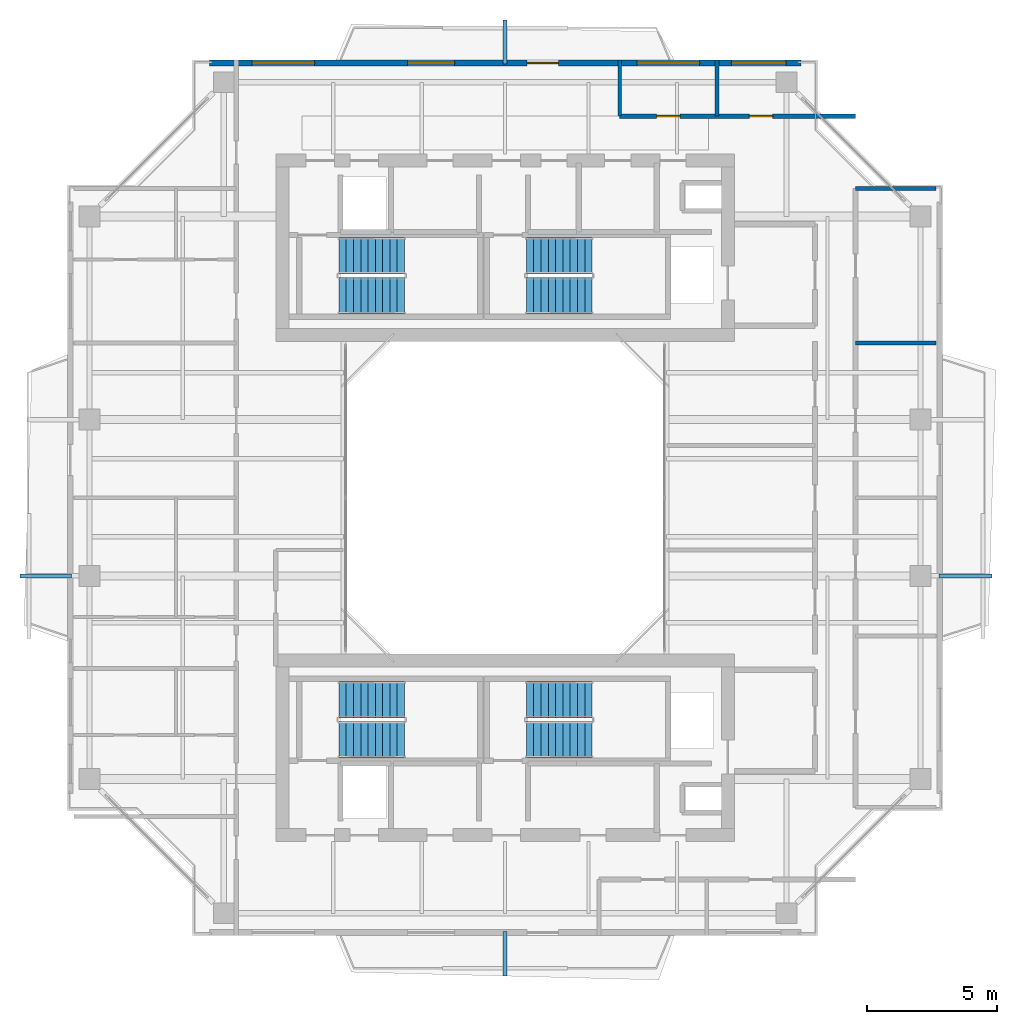
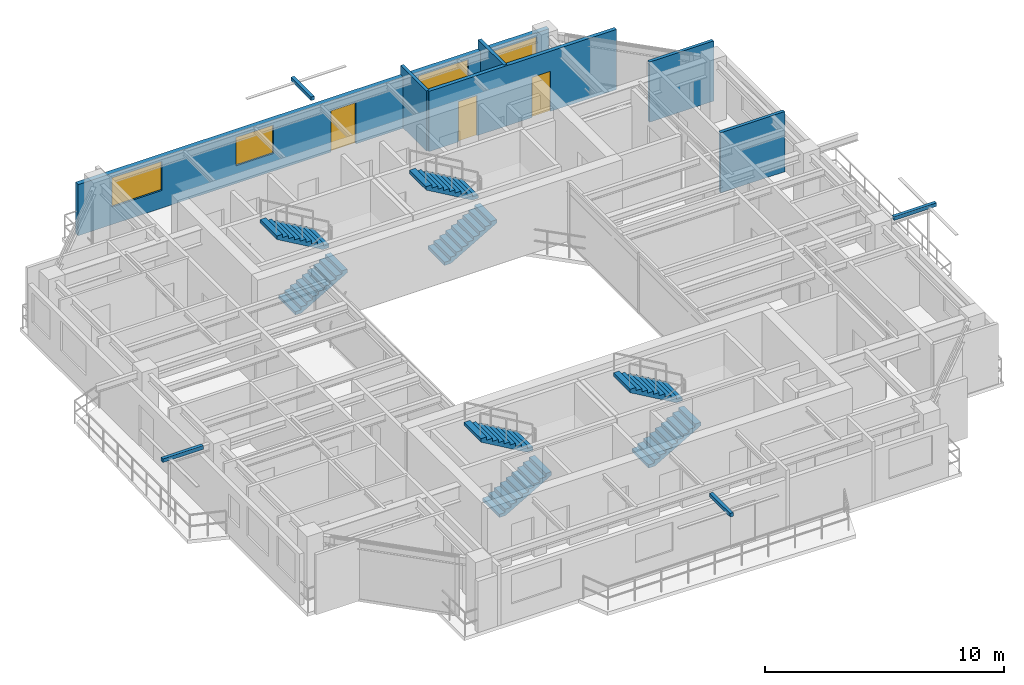
# One storey, part 13 of 16: 8 stair flights, 6 walls, 4 discrete accessories, 4 windows, 3 doors, 7 openings, 4 elements without a shape of their own.
"""IFC4 building model written with IfcOpenShell, lengths in metres."""

import ifcopenshell
import ifcopenshell.guid

model = None  # the IFC model being written
_history = None  # IfcOwnerHistory: only IFC2X3 demands one
_inside = {}  # id of a spatial element -> (the spatial element, [elements in it])
_under = {}  # id of a project, library or spatial element -> (it, [spatial elements below it])
_declared = {}  # id of a project -> (the project, [libraries it declares])
_typed = {}  # id of a type object -> (the type object, [elements of that type])
_made_of = {}  # id of a material, layer set ... -> (it, [elements and type objects made of it])


def new_model(schema):
    """Start an empty IFC model of exactly this schema.

    Asked for "IFC4X3", IfcOpenShell would pick the latest addendum, in which some entities
    have other attributes; the version numbers below select the first issue.
    IFC2X3 requires an IfcOwnerHistory on every rooted entity: one is made here for all.
    """
    global model, _history
    if schema == "IFC4X3":
        model = ifcopenshell.file(schema_version=(4, 3, 0, 0))
    else:
        model = ifcopenshell.file(schema=schema)
    _inside.clear()
    _under.clear()
    _declared.clear()
    _typed.clear()
    _made_of.clear()
    _history = None
    if model.schema == "IFC2X3":
        org = make("IfcOrganization", Name="unknown")
        user = make(
            "IfcPersonAndOrganization",
            ThePerson=make("IfcPerson", FamilyName="unknown"),
            TheOrganization=org,
        )
        app = make(
            "IfcApplication",
            ApplicationDeveloper=org,
            Version="unknown",
            ApplicationFullName="unknown",
            ApplicationIdentifier="unknown",
        )
        _history = make(
            "IfcOwnerHistory",
            OwningUser=user,
            OwningApplication=app,
            ChangeAction="ADDED",
            CreationDate=0,
        )
    return model


def make(cls, **values):
    """One entity of the class cls with the attributes given. An attribute that is None is left unset."""
    return model.create_entity(
        cls, **{name: value for name, value in values.items() if value is not None}
    )


def rooted(cls, **values):
    """An entity with a GlobalId (a new one), such as an element, a storey or a relation."""
    return make(cls, GlobalId=ifcopenshell.guid.new(), OwnerHistory=_history, **values)


def si_unit(unit_type, name, prefix=None):
    """IfcSIUnit, for example si_unit("LENGTHUNIT", "METRE", prefix="MILLI")."""
    return make("IfcSIUnit", UnitType=unit_type, Prefix=prefix, Name=name)


def assignment(units):
    """IfcUnitAssignment: the units of a project."""
    return None if units is None else make("IfcUnitAssignment", Units=units)


def point(xyz):
    """IfcCartesianPoint."""
    return None if xyz is None else make("IfcCartesianPoint", Coordinates=xyz)


def direction(xyz):
    """IfcDirection."""
    return None if xyz is None else make("IfcDirection", DirectionRatios=xyz)


def frame(location, z_axis=None, x_axis=None):
    """IfcAxis2Placement3D, a coordinate frame: its origin and axes. An axis left out is left unset."""
    return make(
        "IfcAxis2Placement3D",
        Location=point(location),
        Axis=direction(z_axis),
        RefDirection=direction(x_axis),
    )


def frame_2d(location, x_axis=None):
    """IfcAxis2Placement2D, a coordinate frame in the plane: its origin and x axis."""
    return make(
        "IfcAxis2Placement2D", Location=point(location), RefDirection=direction(x_axis)
    )


def origin():
    """The frame at (0, 0, 0) with its axes left unset."""
    return frame((0.0, 0.0, 0.0))


def origin_2d():
    """The frame at (0, 0) in the plane with its x axis left unset."""
    return frame_2d((0.0, 0.0))


def place(relative_to, where):
    """IfcLocalPlacement: puts the frame where relative to a parent placement (None: the world)."""
    return make(
        "IfcLocalPlacement", PlacementRelTo=relative_to, RelativePlacement=where
    )


def context(
    kind, dimensions, precision=None, world=None, true_north=None, identifier=None
):
    """IfcGeometricRepresentationContext, for example the 3D "Model" context."""
    return make(
        "IfcGeometricRepresentationContext",
        ContextIdentifier=identifier,
        ContextType=kind,
        CoordinateSpaceDimension=dimensions,
        Precision=precision,
        WorldCoordinateSystem=world,
        TrueNorth=true_north,
    )


def subcontext(parent, identifier, kind, view, scale=None):
    """IfcGeometricRepresentationSubContext, for example "Body" below "Model"."""
    return make(
        "IfcGeometricRepresentationSubContext",
        ContextIdentifier=identifier,
        ContextType=kind,
        ParentContext=parent,
        TargetScale=scale,
        TargetView=view,
    )


def project(units=None, contexts=None):
    """IfcProject with its units and contexts."""
    return rooted(
        "IfcProject",
        Name="project",
        RepresentationContexts=contexts,
        UnitsInContext=assignment(units),
    )


def spatial(cls, under=None, at=None, **own):
    """A site, building, storey or space (cls), placed at a placement, below another one or the project."""
    s = rooted(cls, ObjectPlacement=at, **own)
    if under is not None:
        _under.setdefault(under.id(), (under, []))[1].append(s)
    return s


def polyline(points):
    """IfcPolyline through the points."""
    return make("IfcPolyline", Points=[point(p) for p in points])


def profile(cls, at=None, kind="AREA", **sizes):
    """A parametric profile (cls). Its sizes go by their IFC names, for example OverallWidth=200.0."""
    return make(cls, ProfileType=kind, Position=at, **sizes)


def rectangle(**sizes):
    """IfcRectangleProfileDef."""
    return profile("IfcRectangleProfileDef", **sizes)


def outline(outer, holes=None, kind="AREA"):
    """IfcArbitraryClosedProfileDef: a profile drawn as a closed curve; with holes, ...WithVoids."""
    if holes is None:
        return make("IfcArbitraryClosedProfileDef", ProfileType=kind, OuterCurve=outer)
    return make(
        "IfcArbitraryProfileDefWithVoids",
        ProfileType=kind,
        OuterCurve=outer,
        InnerCurves=holes,
    )


def extrude(swept, where, along, depth):
    """IfcExtrudedAreaSolid: the profile swept, set in the frame where, extruded along a direction by depth."""
    return make(
        "IfcExtrudedAreaSolid",
        SweptArea=swept,
        Position=where,
        ExtrudedDirection=direction(along),
        Depth=depth,
    )


def shape(context_of_items, identifier, shape_type, items):
    """IfcShapeRepresentation: the items that make up one representation, for example the "Body"."""
    return make(
        "IfcShapeRepresentation",
        ContextOfItems=context_of_items,
        RepresentationIdentifier=identifier,
        RepresentationType=shape_type,
        Items=items,
    )


def source(mapping_origin, context_of_items, identifier, shape_type, items):
    """IfcRepresentationMap: a shape defined once, which mapped items show again and again."""
    return make(
        "IfcRepresentationMap",
        MappingOrigin=mapping_origin,
        MappedRepresentation=shape(context_of_items, identifier, shape_type, items),
    )


def transform(
    local_origin,
    x_axis=None,
    y_axis=None,
    z_axis=None,
    scale=None,
    scale2=None,
    scale3=None,
    uniform=True,
):
    """IfcCartesianTransformationOperator3D, or its non-uniform kind. x_axis, y_axis, z_axis: its Axis1, 2, 3."""
    if uniform:
        return make(
            "IfcCartesianTransformationOperator3D",
            Axis1=direction(x_axis),
            Axis2=direction(y_axis),
            LocalOrigin=point(local_origin),
            Scale=scale,
            Axis3=direction(z_axis),
        )
    return make(
        "IfcCartesianTransformationOperator3DnonUniform",
        Axis1=direction(x_axis),
        Axis2=direction(y_axis),
        LocalOrigin=point(local_origin),
        Scale=scale,
        Axis3=direction(z_axis),
        Scale2=scale2,
        Scale3=scale3,
    )


def mapped(mapping_source, mapping_target):
    """IfcMappedItem: shows the shape of a source again, moved by a transform."""
    return make(
        "IfcMappedItem", MappingSource=mapping_source, MappingTarget=mapping_target
    )


def material(Name=None, Category=None):
    """IfcMaterial."""
    return make("IfcMaterial", Name=Name, Category=Category)


def layer(
    of_material, thickness, ventilated=None, Name=None, Category=None, Priority=None
):
    """IfcMaterialLayer: one layer of a wall or slab, of a material (None: an air gap)."""
    return make(
        "IfcMaterialLayer",
        Material=of_material,
        LayerThickness=thickness,
        IsVentilated=ventilated,
        Name=Name,
        Category=Category,
        Priority=Priority,
    )


def layer_set(layers, Name=None):
    """IfcMaterialLayerSet."""
    return make("IfcMaterialLayerSet", MaterialLayers=layers, LayerSetName=Name)


def made_of(thing, what):
    """Note that an element or type object is made of a material, layer set ...; save() writes the relation."""
    if what is not None:
        _made_of.setdefault(what.id(), (what, []))[1].append(thing)
    return thing


def type_object(cls, material=None, **own):
    """A type object (cls), such as IfcWallType, which elements share."""
    return made_of(rooted(cls, **own), material)


def element(
    cls,
    number,
    at=None,
    inside=None,
    cuts=None,
    type_object=None,
    material=None,
    context=None,
    identifier="Body",
    shape_type=None,
    held_by="IfcProductDefinitionShape",
    body=None,
    shapes=None,
    **own,
):
    """One element of the class cls, such as IfcWall. Its Tag is "e" and its number.

    at: its placement. inside: the storey or other place that contains it. cuts: it is an
    opening in that element (IfcRelVoidsElement). A single representation is given by context,
    identifier, shape_type and body (its items); several are given by shapes. held_by: the class
    of the entity that holds the representations. save() writes the other relations.
    """
    e = rooted(cls, Tag="e%d" % number, ObjectPlacement=at, **own)
    if body is not None:
        shapes = [shape(context, identifier, shape_type, body)]
    if shapes is not None:
        e.Representation = make(held_by, Representations=shapes)
    if inside is not None:
        _inside.setdefault(inside.id(), (inside, []))[1].append(e)
    if cuts is not None:
        rooted(
            "IfcRelVoidsElement", RelatingBuildingElement=cuts, RelatedOpeningElement=e
        )
    if type_object is not None:
        _typed.setdefault(type_object.id(), (type_object, []))[1].append(e)
    return made_of(e, material)


def fill(opening, filler):
    """IfcRelFillsElement: the door or window that sits in an opening."""
    return rooted(
        "IfcRelFillsElement",
        RelatingOpeningElement=opening,
        RelatedBuildingElement=filler,
    )


def aggregate(whole, parts):
    """IfcRelAggregates: a whole, such as a stair, and the parts it consists of."""
    return rooted("IfcRelAggregates", RelatingObject=whole, RelatedObjects=parts)


def save(model, path):
    """Write the relations noted so far, then the file.

    IfcRelAggregates (storeys below a building ...), IfcRelContainedInSpatialStructure (elements
    in a storey), IfcRelDefinesByType, IfcRelAssociatesMaterial and IfcRelDeclares: one each for
    every whole, place, type object, material and project.
    """
    for whole, parts in _under.values():
        aggregate(whole, parts)
    for where, things in _inside.values():
        rooted(
            "IfcRelContainedInSpatialStructure",
            RelatedElements=things,
            RelatingStructure=where,
        )
    for kind, things in _typed.values():
        rooted("IfcRelDefinesByType", RelatedObjects=things, RelatingType=kind)
    for what, things in _made_of.values():
        rooted("IfcRelAssociatesMaterial", RelatedObjects=things, RelatingMaterial=what)
    for by, libraries in _declared.values():
        rooted("IfcRelDeclares", RelatingContext=by, RelatedDefinitions=libraries)
    model.write(path)


model = new_model("IFC4")

# Units and contexts
model_context = context("Model", 3, precision=1e-05, world=origin(), true_north=direction((0.0, 1.0)))
body_context = subcontext(model_context, "Body", "Model", "MODEL_VIEW")
ifc_project = project(units=[si_unit("LENGTHUNIT", "METRE"), si_unit("AREAUNIT", "SQUARE_METRE"), si_unit("VOLUMEUNIT", "CUBIC_METRE"), si_unit("PLANEANGLEUNIT", "RADIAN"), si_unit("MASSUNIT", "GRAM", prefix="KILO"), si_unit("THERMODYNAMICTEMPERATUREUNIT", "KELVIN"), si_unit("POWERUNIT", "WATT")], contexts=[model_context])

# Site, building, storey
site_placement = place(None, origin())
site = spatial("IfcSite", under=ifc_project, at=site_placement, CompositionType="ELEMENT")
building_placement = place(site_placement, origin())
building = spatial("IfcBuilding", under=site, at=building_placement, Name="Qiaomeng Ring Towers", CompositionType="ELEMENT")
storey_placement = place(building_placement, frame((0.0, 0.0, 216.5)))
storey = spatial("IfcBuildingStorey", under=building, at=storey_placement, Name="L63", CompositionType="ELEMENT", Elevation=216.5)

# Wall, openings, windows, door
ifc_material_1 = material(Name="Precast concrete C40", Category="concrete")
ifc_layer_1 = layer(ifc_material_1, 0.219970703125, Name="Precast concrete C40")
ifc_layer_set_1 = layer_set([ifc_layer_1], Name="Precast concrete C40")
wall_type_1 = type_object("IfcWallType", Name="ARC-WL-EW2", PredefinedType="STANDARD", material=ifc_layer_set_1)
wall_1_placement = place(storey_placement, frame((7.64990234375, 39.68994140625, 0.0), z_axis=(0.0, 0.0, 1.0), x_axis=(1.0, 0.0, 0.0)))
wall_1 = element("IfcWall", 1, at=wall_1_placement, inside=storey, type_object=wall_type_1, Name="L63 Tower 1 N Exterior Wall", PredefinedType="STANDARD", context=body_context, shape_type="SweptSolid", body=[
    extrude(rectangle(XDim=22.7001953125, YDim=0.219970703125, at=frame_2d((11.35009765625, 0.0))), origin(), (0.0, 0.0, 1.0), 2.610107421875),
])
opening_1_placement = place(wall_1_placement, frame((12.199951171875, 0.0, 0.0)))
opening_1 = element("IfcOpeningElement", 2, at=opening_1_placement, cuts=wall_1, Name="Opening BD1", PredefinedType="OPENING", context=body_context, shape_type="SweptSolid", body=[
    extrude(rectangle(XDim=1.199951171875, YDim=2.10009765625, at=frame_2d((0.60009765625, 1.050048828125))), frame((0.0, 0.119873046875, 0.0), z_axis=(0.0, -1.0, 0.0), x_axis=(1.0, 0.0, 0.0)), (0.0, 0.0, 1.0), 0.239990234375),
])
opening_2_placement = place(wall_1_placement, frame((1.636962890625, 0.0, 0.89990234375)))
opening_2 = element("IfcOpeningElement", 3, at=opening_2_placement, cuts=wall_1, Name="Opening WN6", PredefinedType="OPENING", context=body_context, shape_type="SweptSolid", body=[
    extrude(rectangle(XDim=2.39990234375, YDim=1.47998046875, at=frame_2d((1.199951171875, 0.739990234375))), frame((0.0, 0.119873046875, 0.0), z_axis=(0.0, -1.0, 0.0), x_axis=(1.0, 0.0, 0.0)), (0.0, 0.0, 1.0), 0.239990234375),
])
opening_3_placement = place(wall_1_placement, frame((7.612060546875, 0.0, 0.89990234375)))
opening_3 = element("IfcOpeningElement", 4, at=opening_3_placement, cuts=wall_1, Name="Opening WN1", PredefinedType="OPENING", context=body_context, shape_type="SweptSolid", body=[
    extrude(rectangle(XDim=1.800048828125, YDim=1.449951171875, at=frame_2d((0.89990234375, 0.72509765625))), frame((0.0, 0.119873046875, 0.0), z_axis=(0.0, -1.0, 0.0), x_axis=(1.0, 0.0, 0.0)), (0.0, 0.0, 1.0), 0.239990234375),
])
opening_4_placement = place(wall_1_placement, frame((20.03759765625, 0.0, 0.89990234375)))
opening_4 = element("IfcOpeningElement", 5, at=opening_4_placement, cuts=wall_1, Name="Opening WN4", PredefinedType="OPENING", context=body_context, shape_type="SweptSolid", body=[
    extrude(rectangle(XDim=2.10009765625, YDim=1.5, at=frame_2d((1.050048828125, 0.75))), frame((0.0, 0.119873046875, 0.0), z_axis=(0.0, -1.0, 0.0), x_axis=(1.0, 0.0, 0.0)), (0.0, 0.0, 1.0), 0.239990234375),
])
opening_5_placement = place(wall_1_placement, frame((16.419921875, 0.0, 0.89990234375)))
opening_5 = element("IfcOpeningElement", 6, at=opening_5_placement, cuts=wall_1, Name="Opening WN6", PredefinedType="OPENING", context=body_context, shape_type="SweptSolid", body=[
    extrude(rectangle(XDim=2.39990234375, YDim=1.5, at=frame_2d((1.199951171875, 0.75))), frame((0.0, 0.119873046875, 0.0), z_axis=(0.0, -1.0, 0.0), x_axis=(1.0, 0.0, 0.0)), (0.0, 0.0, 1.0), 0.239990234375),
])
ifc_material_2 = material(Name="Low-E dark-grey laminated double glazing", Category="glass")
window_type_1 = type_object("IfcWindowType", Name="ARC-WN-4", PartitioningType="TRIPLE_PANEL_VERTICAL", PredefinedType="WINDOW", material=ifc_material_2)
shared_shape_1 = source(origin(), body_context, "Body", "SweptSolid", [
    extrude(rectangle(XDim=2.10009765625, YDim=1.5, at=frame_2d((1.050048828125, 0.75))), frame((0.0, 0.030029296875, 0.0), z_axis=(0.0, -1.0, 0.0), x_axis=(1.0, 0.0, 0.0)), (0.0, 0.0, 1.0), 0.06005859375),
])
window_1_placement = place(opening_4_placement, origin())
window_1 = element("IfcWindow", 7, at=window_1_placement, inside=storey, type_object=window_type_1, Name="L63 Exterior Window WN4", OverallHeight=1.5, OverallWidth=2.10009765625, PartitioningType="TRIPLE_PANEL_VERTICAL", PredefinedType="WINDOW", context=body_context, shape_type="MappedRepresentation", body=[
    mapped(shared_shape_1, transform((0.0, 0.0, 0.0), x_axis=(1.0, 0.0, 0.0), y_axis=(0.0, 1.0, 0.0), z_axis=(0.0, 0.0, 1.0), scale=1.0)),
])
fill(opening_4, window_1)
window_type_2 = type_object("IfcWindowType", Name="ARC-WN-1", PartitioningType="DOUBLE_PANEL_VERTICAL", PredefinedType="WINDOW", material=ifc_material_2)
shared_shape_2 = source(origin(), body_context, "Body", "SweptSolid", [
    extrude(rectangle(XDim=1.800048828125, YDim=1.449951171875, at=frame_2d((0.89990234375, 0.72509765625))), frame((0.0, 0.030029296875, 0.0), z_axis=(0.0, -1.0, 0.0), x_axis=(1.0, 0.0, 0.0)), (0.0, 0.0, 1.0), 0.06005859375),
])
window_2_placement = place(opening_3_placement, origin())
window_2 = element("IfcWindow", 8, at=window_2_placement, inside=storey, type_object=window_type_2, Name="L63 Exterior Window WN1", OverallHeight=1.449951171875, OverallWidth=1.800048828125, PartitioningType="DOUBLE_PANEL_VERTICAL", PredefinedType="WINDOW", context=body_context, shape_type="MappedRepresentation", body=[
    mapped(shared_shape_2, transform((0.0, 0.0, 0.0), x_axis=(1.0, 0.0, 0.0), y_axis=(0.0, 1.0, 0.0), z_axis=(0.0, 0.0, 1.0), scale=1.0)),
])
fill(opening_3, window_2)
window_type_3 = type_object("IfcWindowType", Name="ARC-WN-6", PartitioningType="TRIPLE_PANEL_VERTICAL", PredefinedType="WINDOW", material=ifc_material_2)
shared_shape_3 = source(origin(), body_context, "Body", "SweptSolid", [
    extrude(rectangle(XDim=2.39990234375, YDim=1.47998046875, at=frame_2d((1.199951171875, 0.739990234375))), frame((0.0, 0.030029296875, 0.0), z_axis=(0.0, -1.0, 0.0), x_axis=(1.0, 0.0, 0.0)), (0.0, 0.0, 1.0), 0.06005859375),
])
window_3_placement = place(opening_2_placement, origin())
window_3 = element("IfcWindow", 9, at=window_3_placement, inside=storey, type_object=window_type_3, Name="L63 Exterior Window WN6", OverallHeight=1.47998046875, OverallWidth=2.39990234375, PartitioningType="TRIPLE_PANEL_VERTICAL", PredefinedType="WINDOW", context=body_context, shape_type="MappedRepresentation", body=[
    mapped(shared_shape_3, transform((0.0, 0.0, 0.0), x_axis=(1.0, 0.0, 0.0), y_axis=(0.0, 1.0, 0.0), z_axis=(0.0, 0.0, 1.0), scale=1.0)),
])
fill(opening_2, window_3)
door_type_1 = type_object("IfcDoorType", Name="ARC-DR-BD1", OperationType="NOTDEFINED", PredefinedType="DOOR", material=ifc_material_2)
shared_shape_4 = source(origin(), body_context, "Body", "SweptSolid", [
    extrude(rectangle(XDim=1.199951171875, YDim=2.10009765625, at=frame_2d((0.60009765625, 1.050048828125))), frame((0.0, 0.02490234375, 0.0), z_axis=(0.0, -1.0, 0.0), x_axis=(1.0, 0.0, 0.0)), (0.0, 0.0, 1.0), 0.050048828125),
])
door_1_placement = place(opening_1_placement, origin())
door_1 = element("IfcDoor", 10, at=door_1_placement, inside=storey, type_object=door_type_1, Name="L63 N Balcony Glazed Door", OperationType="SINGLE_SWING_LEFT", OverallHeight=2.10009765625, OverallWidth=1.199951171875, PredefinedType="DOOR", context=body_context, shape_type="MappedRepresentation", body=[
    mapped(shared_shape_4, transform((0.0, 0.0, 0.0), x_axis=(1.0, 0.0, 0.0), y_axis=(0.0, 1.0, 0.0), z_axis=(0.0, 0.0, 1.0), scale=1.0)),
])
fill(opening_1, door_1)
shared_shape_5 = source(origin(), body_context, "Body", "SweptSolid", [
    extrude(rectangle(XDim=2.39990234375, YDim=1.5, at=frame_2d((1.199951171875, 0.75))), frame((0.0, 0.030029296875, 0.0), z_axis=(0.0, -1.0, 0.0), x_axis=(1.0, 0.0, 0.0)), (0.0, 0.0, 1.0), 0.06005859375),
])
window_4_placement = place(opening_5_placement, origin())
window_4 = element("IfcWindow", 11, at=window_4_placement, inside=storey, type_object=window_type_3, Name="L63 Exterior Window WN6", OverallHeight=1.5, OverallWidth=2.39990234375, PartitioningType="TRIPLE_PANEL_VERTICAL", PredefinedType="WINDOW", context=body_context, shape_type="MappedRepresentation", body=[
    mapped(shared_shape_5, transform((0.0, 0.0, 0.0), x_axis=(1.0, 0.0, 0.0), y_axis=(0.0, 1.0, 0.0), z_axis=(0.0, 0.0, 1.0), scale=1.0)),
])
fill(opening_5, window_4)

# Wall, openings, doors
ifc_material_3 = material(Name="Autoclaved aerated concrete block", Category="concrete")
ifc_layer_2 = layer(ifc_material_3, 0.179931640625, Name="Autoclaved aerated concrete block")
ifc_layer_set_2 = layer_set([ifc_layer_2], Name="Autoclaved aerated concrete block")
wall_type_2 = type_object("IfcWallType", Name="ARC-WL-PW2", PredefinedType="PARTITIONING", material=ifc_layer_set_2)
wall_2_placement = place(storey_placement, frame((23.39990234375, 37.64990234375, 0.0), z_axis=(0.0, 0.0, 1.0), x_axis=(1.0, 0.0, 0.0)))
wall_2 = element("IfcWall", 12, at=wall_2_placement, inside=storey, type_object=wall_type_2, Name="L63 Interior Wall PW2", PredefinedType="PARTITIONING", context=body_context, shape_type="SweptSolid", body=[
    extrude(rectangle(XDim=9.050048828125, YDim=0.179931640625, at=frame_2d((4.52490234375, 0.0))), origin(), (0.0, 0.0, 1.0), 3.070068359375),
])
opening_6_placement = place(wall_2_placement, frame((1.419921875, 0.0, 0.0)))
opening_6 = element("IfcOpeningElement", 13, at=opening_6_placement, cuts=wall_2, Name="Opening ID1", PredefinedType="OPENING", context=body_context, shape_type="SweptSolid", body=[
    extrude(rectangle(XDim=0.89990234375, YDim=2.050048828125, at=frame_2d((0.449951171875, 1.02490234375))), frame((0.0, 0.099853515625, 0.0), z_axis=(0.0, -1.0, 0.0), x_axis=(1.0, 0.0, 0.0)), (0.0, 0.0, 1.0), 0.199951171875),
])
opening_7_placement = place(wall_2_placement, frame((4.972900390625, 0.0, 0.0)))
opening_7 = element("IfcOpeningElement", 14, at=opening_7_placement, cuts=wall_2, Name="Opening ID1", PredefinedType="OPENING", context=body_context, shape_type="SweptSolid", body=[
    extrude(rectangle(XDim=0.89990234375, YDim=2.050048828125, at=frame_2d((0.449951171875, 1.02490234375))), frame((0.0, 0.099853515625, 0.0), z_axis=(0.0, -1.0, 0.0), x_axis=(1.0, 0.0, 0.0)), (0.0, 0.0, 1.0), 0.199951171875),
])
ifc_material_4 = material(Name="Engineered oak timber", Category="wood")
door_type_2 = type_object("IfcDoorType", Name="ARC-DR-ID1", OperationType="NOTDEFINED", PredefinedType="DOOR", material=ifc_material_4)
shared_shape_6 = source(origin(), body_context, "Body", "SweptSolid", [
    extrude(rectangle(XDim=0.89990234375, YDim=2.050048828125, at=frame_2d((0.449951171875, 1.02490234375))), frame((0.0, 0.02490234375, 0.0), z_axis=(0.0, -1.0, 0.0), x_axis=(1.0, 0.0, 0.0)), (0.0, 0.0, 1.0), 0.050048828125),
])
door_2_placement = place(opening_6_placement, origin())
door_2 = element("IfcDoor", 15, at=door_2_placement, inside=storey, type_object=door_type_2, Name="L63 Door ID1", OperationType="SINGLE_SWING_RIGHT", OverallHeight=2.050048828125, OverallWidth=0.89990234375, PredefinedType="DOOR", context=body_context, shape_type="MappedRepresentation", body=[
    mapped(shared_shape_6, transform((0.0, 0.0, 0.0), x_axis=(1.0, 0.0, 0.0), y_axis=(0.0, 1.0, 0.0), z_axis=(0.0, 0.0, 1.0), scale=1.0)),
])
fill(opening_6, door_2)
door_3_placement = place(opening_7_placement, origin())
door_3 = element("IfcDoor", 16, at=door_3_placement, inside=storey, type_object=door_type_2, Name="L63 Door ID1", OperationType="SINGLE_SWING_LEFT", OverallHeight=2.050048828125, OverallWidth=0.89990234375, PredefinedType="DOOR", context=body_context, shape_type="MappedRepresentation", body=[
    mapped(shared_shape_6, transform((0.0, 0.0, 0.0), x_axis=(1.0, 0.0, 0.0), y_axis=(0.0, 1.0, 0.0), z_axis=(0.0, 0.0, 1.0), scale=1.0)),
])
fill(opening_7, door_3)

# Walls
ifc_material_5 = material(Name="Gypsum fireboard steel-stud partition", Category="steel")
ifc_layer_3 = layer(ifc_material_5, 0.14990234375, Name="Gypsum fireboard steel-stud partition")
ifc_layer_set_3 = layer_set([ifc_layer_3], Name="Gypsum fireboard steel-stud partition")
wall_type_3 = type_object("IfcWallType", Name="ARC-WL-PW3", PredefinedType="PARTITIONING", material=ifc_layer_set_3)
for number, where, z_axis, x_axis, name in (
    (17, (23.39990234375, 37.64990234375, 0.0), (0.0, 0.0, 1.0), (0.0, 1.0, 0.0), "L63 Interior Wall PW3"),
    (18, (27.139892578125, 37.64990234375, 0.0), (0.0, 0.0, 1.0), (0.0, 1.0, 0.0), "L63 Interior Wall PW3"),
):
    element("IfcWall", number, at=place(storey_placement, frame(where, z_axis=z_axis, x_axis=x_axis)), inside=storey, type_object=wall_type_3, Name=name, PredefinedType="PARTITIONING", context=body_context, shape_type="SweptSolid", body=[
        extrude(rectangle(XDim=2.150146484375, YDim=0.14990234375, at=frame_2d((1.0751953125, 0.0))), origin(), (0.0, 0.0, 1.0), 3.070068359375),
    ])
for number, where, z_axis, x_axis, name in (
    (19, (32.449951171875, 34.8798828125, 0.0), (0.0, 0.0, 1.0), (1.0, 0.0, 0.0), "L63 Interior Wall PW3"),
    (20, (32.449951171875, 28.93994140625, 0.0), (0.0, 0.0, 1.0), (1.0, 0.0, 0.0), "L63 Interior Wall PW3"),
):
    element("IfcWall", number, at=place(storey_placement, frame(where, z_axis=z_axis, x_axis=x_axis)), inside=storey, type_object=wall_type_3, Name=name, PredefinedType="PARTITIONING", context=body_context, shape_type="SweptSolid", body=[
        extrude(rectangle(XDim=3.10009765625, YDim=0.14990234375, at=frame_2d((1.550048828125, 0.0))), origin(), (0.0, 0.0, 1.0), 3.070068359375),
    ])

# Stair, stair flights
stair_type = type_object("IfcStairType", Name="ARC-ST-325", PredefinedType="HALF_TURN_STAIR", material=ifc_material_1)
stair_1_placement = place(storey_placement, origin())
stair_1 = element("IfcStair", 21, at=stair_1_placement, inside=storey, type_object=stair_type, Name="L63 Tower 1 North Stair 1", PredefinedType="HALF_TURN_STAIR")
stair_flight_type = type_object("IfcStairFlightType", Name="ARC-ST-325-FL", PredefinedType="STRAIGHT", material=ifc_material_1)
shared_shape_7 = source(origin(), body_context, "Body", "SweptSolid", [
    extrude(outline(polyline([(0.0, 0.0), (0.0, 0.16259765625), (0.280029296875, 0.16259765625), (0.280029296875, 0.324951171875), (0.56005859375, 0.324951171875), (0.56005859375, 0.487548828125), (0.840087890625, 0.487548828125), (0.840087890625, 0.64990234375), (1.1201171875, 0.64990234375), (1.1201171875, 0.8125), (1.39990234375, 0.8125), (1.39990234375, 0.97509765625), (1.679931640625, 0.97509765625), (1.679931640625, 1.137451171875), (1.9599609375, 1.137451171875), (1.9599609375, 1.300048828125), (2.239990234375, 1.300048828125), (2.239990234375, 1.46240234375), (2.52001953125, 1.46240234375), (2.52001953125, 1.625), (2.52001953125, 1.2890625), (0.298583984375, 0.0), (0.0, 0.0)])), frame((0.0, 0.699951171875, 0.0), z_axis=(0.0, -1.0, 0.0), x_axis=(1.0, 0.0, 0.0)), (0.0, 0.0, 1.0), 1.39990234375),
])
stair_flight_1_placement = place(storey_placement, frame((12.6201171875, 30.75, 0.0), z_axis=(0.0, 0.0, 1.0), x_axis=(1.0, 0.0, 0.0)))
stair_flight_1 = element("IfcStairFlight", 22, at=stair_flight_1_placement, type_object=stair_flight_type, Name="ST1 flight 1", NumberOfRisers=10, NumberOfTreads=9, PredefinedType="STRAIGHT", RiserHeight=0.1625, TreadLength=0.28, context=body_context, shape_type="MappedRepresentation", body=[
    mapped(shared_shape_7, transform((0.0, 0.0, 0.0), x_axis=(1.0, 0.0, 0.0), y_axis=(0.0, 1.0, 0.0), z_axis=(0.0, 0.0, 1.0), scale=1.0)),
])
stair_flight_2_placement = place(storey_placement, frame((15.139892578125, 32.2900390625, 1.625), z_axis=(0.0, 0.0, 1.0), x_axis=(-1.0, 0.0, 0.0)))
stair_flight_2 = element("IfcStairFlight", 23, at=stair_flight_2_placement, type_object=stair_flight_type, Name="ST1 flight 2", NumberOfRisers=10, NumberOfTreads=9, PredefinedType="STRAIGHT", RiserHeight=0.1625, TreadLength=0.28, context=body_context, shape_type="MappedRepresentation", body=[
    mapped(shared_shape_7, transform((0.0, 0.0, 0.0), x_axis=(1.0, 0.0, 0.0), y_axis=(0.0, 1.0, 0.0), z_axis=(0.0, 0.0, 1.0), scale=1.0)),
])
aggregate(stair_1, [stair_flight_1, stair_flight_2])

stair_2_placement = place(storey_placement, origin())
stair_2 = element("IfcStair", 24, at=stair_2_placement, inside=storey, type_object=stair_type, Name="L63 Tower 1 North Stair 2", PredefinedType="HALF_TURN_STAIR")
stair_flight_3_placement = place(storey_placement, frame((19.820068359375, 30.75, 0.0), z_axis=(0.0, 0.0, 1.0), x_axis=(1.0, 0.0, 0.0)))
stair_flight_3 = element("IfcStairFlight", 25, at=stair_flight_3_placement, type_object=stair_flight_type, Name="ST2 flight 1", NumberOfRisers=10, NumberOfTreads=9, PredefinedType="STRAIGHT", RiserHeight=0.1625, TreadLength=0.28, context=body_context, shape_type="MappedRepresentation", body=[
    mapped(shared_shape_7, transform((0.0, 0.0, 0.0), x_axis=(1.0, 0.0, 0.0), y_axis=(0.0, 1.0, 0.0), z_axis=(0.0, 0.0, 1.0), scale=1.0)),
])
stair_flight_4_placement = place(storey_placement, frame((22.340087890625, 32.2900390625, 1.625), z_axis=(0.0, 0.0, 1.0), x_axis=(-1.0, 0.0, 0.0)))
stair_flight_4 = element("IfcStairFlight", 26, at=stair_flight_4_placement, type_object=stair_flight_type, Name="ST2 flight 2", NumberOfRisers=10, NumberOfTreads=9, PredefinedType="STRAIGHT", RiserHeight=0.1625, TreadLength=0.28, context=body_context, shape_type="MappedRepresentation", body=[
    mapped(shared_shape_7, transform((0.0, 0.0, 0.0), x_axis=(1.0, 0.0, 0.0), y_axis=(0.0, 1.0, 0.0), z_axis=(0.0, 0.0, 1.0), scale=1.0)),
])
aggregate(stair_2, [stair_flight_3, stair_flight_4])

stair_3_placement = place(storey_placement, origin())
stair_3 = element("IfcStair", 27, at=stair_3_placement, inside=storey, type_object=stair_type, Name="L63 Tower 1 South Stair 3", PredefinedType="HALF_TURN_STAIR")
stair_flight_5_placement = place(storey_placement, frame((12.6201171875, 13.7099609375, 0.0), z_axis=(0.0, 0.0, 1.0), x_axis=(1.0, 0.0, 0.0)))
stair_flight_5 = element("IfcStairFlight", 28, at=stair_flight_5_placement, type_object=stair_flight_type, Name="ST3 flight 1", NumberOfRisers=10, NumberOfTreads=9, PredefinedType="STRAIGHT", RiserHeight=0.1625, TreadLength=0.28, context=body_context, shape_type="MappedRepresentation", body=[
    mapped(shared_shape_7, transform((0.0, 0.0, 0.0), x_axis=(1.0, 0.0, 0.0), y_axis=(0.0, 1.0, 0.0), z_axis=(0.0, 0.0, 1.0), scale=1.0)),
])
stair_flight_6_placement = place(storey_placement, frame((15.139892578125, 15.25, 1.625), z_axis=(0.0, 0.0, 1.0), x_axis=(-1.0, 0.0, 0.0)))
stair_flight_6 = element("IfcStairFlight", 29, at=stair_flight_6_placement, type_object=stair_flight_type, Name="ST3 flight 2", NumberOfRisers=10, NumberOfTreads=9, PredefinedType="STRAIGHT", RiserHeight=0.1625, TreadLength=0.28, context=body_context, shape_type="MappedRepresentation", body=[
    mapped(shared_shape_7, transform((0.0, 0.0, 0.0), x_axis=(1.0, 0.0, 0.0), y_axis=(0.0, 1.0, 0.0), z_axis=(0.0, 0.0, 1.0), scale=1.0)),
])
aggregate(stair_3, [stair_flight_5, stair_flight_6])

stair_4_placement = place(storey_placement, origin())
stair_4 = element("IfcStair", 30, at=stair_4_placement, inside=storey, type_object=stair_type, Name="L63 Tower 1 South Stair 4", PredefinedType="HALF_TURN_STAIR")
stair_flight_7_placement = place(storey_placement, frame((19.820068359375, 13.7099609375, 0.0), z_axis=(0.0, 0.0, 1.0), x_axis=(1.0, 0.0, 0.0)))
stair_flight_7 = element("IfcStairFlight", 31, at=stair_flight_7_placement, type_object=stair_flight_type, Name="ST4 flight 1", NumberOfRisers=10, NumberOfTreads=9, PredefinedType="STRAIGHT", RiserHeight=0.1625, TreadLength=0.28, context=body_context, shape_type="MappedRepresentation", body=[
    mapped(shared_shape_7, transform((0.0, 0.0, 0.0), x_axis=(1.0, 0.0, 0.0), y_axis=(0.0, 1.0, 0.0), z_axis=(0.0, 0.0, 1.0), scale=1.0)),
])
stair_flight_8_placement = place(storey_placement, frame((22.340087890625, 15.25, 1.625), z_axis=(0.0, 0.0, 1.0), x_axis=(-1.0, 0.0, 0.0)))
stair_flight_8 = element("IfcStairFlight", 32, at=stair_flight_8_placement, type_object=stair_flight_type, Name="ST4 flight 2", NumberOfRisers=10, NumberOfTreads=9, PredefinedType="STRAIGHT", RiserHeight=0.1625, TreadLength=0.28, context=body_context, shape_type="MappedRepresentation", body=[
    mapped(shared_shape_7, transform((0.0, 0.0, 0.0), x_axis=(1.0, 0.0, 0.0), y_axis=(0.0, 1.0, 0.0), z_axis=(0.0, 0.0, 1.0), scale=1.0)),
])
aggregate(stair_4, [stair_flight_7, stair_flight_8])

# Discrete accessories
ifc_material_6 = material(Name="Stainless steel 316", Category="steel")
discrete_accessory_type = type_object("IfcDiscreteAccessoryType", Name="ARC-ACC-BRACKET", PredefinedType="BRACKET", material=ifc_material_6)
shared_shape_8 = source(origin(), body_context, "Body", "SweptSolid", [
    extrude(rectangle(XDim=2.050048828125, YDim=0.159912109375, at=origin_2d()), origin(), (0.0, 0.0, 1.0), 0.179931640625),
])
discrete_accessory_1_placement = place(storey_placement, frame((36.675048828125, 20.0, 2.89990234375), z_axis=(0.0, 0.0, 1.0), x_axis=(1.0, 0.0, 0.0)))
element("IfcDiscreteAccessory", 33, at=discrete_accessory_1_placement, inside=storey, type_object=discrete_accessory_type, Name="L63 Stainless Outer-Skin Tie Bracket E", PredefinedType="BRACKET", context=body_context, shape_type="MappedRepresentation", body=[
    mapped(shared_shape_8, transform((0.0, 0.0, 0.0), x_axis=(1.0, 0.0, 0.0), y_axis=(0.0, 1.0, 0.0), z_axis=(0.0, 0.0, 1.0), scale=1.0)),
])
shared_shape_9 = source(origin(), body_context, "Body", "SweptSolid", [
    extrude(rectangle(XDim=0.159912109375, YDim=1.7099609375, at=origin_2d()), origin(), (0.0, 0.0, 1.0), 0.179931640625),
])
discrete_accessory_2_placement = place(storey_placement, frame((19.0, 5.4951171875, 2.89990234375), z_axis=(0.0, 0.0, 1.0), x_axis=(1.0, 0.0, 0.0)))
element("IfcDiscreteAccessory", 34, at=discrete_accessory_2_placement, inside=storey, type_object=discrete_accessory_type, Name="L63 Stainless Outer-Skin Tie Bracket S", PredefinedType="BRACKET", context=body_context, shape_type="MappedRepresentation", body=[
    mapped(shared_shape_9, transform((0.0, 0.0, 0.0), x_axis=(1.0, 0.0, 0.0), y_axis=(0.0, 1.0, 0.0), z_axis=(0.0, 0.0, 1.0), scale=1.0)),
])
shared_shape_10 = source(origin(), body_context, "Body", "SweptSolid", [
    extrude(rectangle(XDim=0.159912109375, YDim=1.68994140625, at=origin_2d()), origin(), (0.0, 0.0, 1.0), 0.179931640625),
])
discrete_accessory_3_placement = place(storey_placement, frame((19.0, 40.4951171875, 2.89990234375), z_axis=(0.0, 0.0, 1.0), x_axis=(1.0, 0.0, 0.0)))
element("IfcDiscreteAccessory", 35, at=discrete_accessory_3_placement, inside=storey, type_object=discrete_accessory_type, Name="L63 Stainless Outer-Skin Tie Bracket N", PredefinedType="BRACKET", context=body_context, shape_type="MappedRepresentation", body=[
    mapped(shared_shape_10, transform((0.0, 0.0, 0.0), x_axis=(1.0, 0.0, 0.0), y_axis=(0.0, 1.0, 0.0), z_axis=(0.0, 0.0, 1.0), scale=1.0)),
])
shared_shape_11 = source(origin(), body_context, "Body", "SweptSolid", [
    extrude(rectangle(XDim=1.969970703125, YDim=0.159912109375, at=origin_2d()), origin(), (0.0, 0.0, 1.0), 0.179931640625),
])
discrete_accessory_4_placement = place(storey_placement, frame((1.364990234375, 20.0, 2.89990234375), z_axis=(0.0, 0.0, 1.0), x_axis=(1.0, 0.0, 0.0)))
element("IfcDiscreteAccessory", 36, at=discrete_accessory_4_placement, inside=storey, type_object=discrete_accessory_type, Name="L63 Stainless Outer-Skin Tie Bracket W", PredefinedType="BRACKET", context=body_context, shape_type="MappedRepresentation", body=[
    mapped(shared_shape_11, transform((0.0, 0.0, 0.0), x_axis=(1.0, 0.0, 0.0), y_axis=(0.0, 1.0, 0.0), z_axis=(0.0, 0.0, 1.0), scale=1.0)),
])

save(model, "model.ifc")
